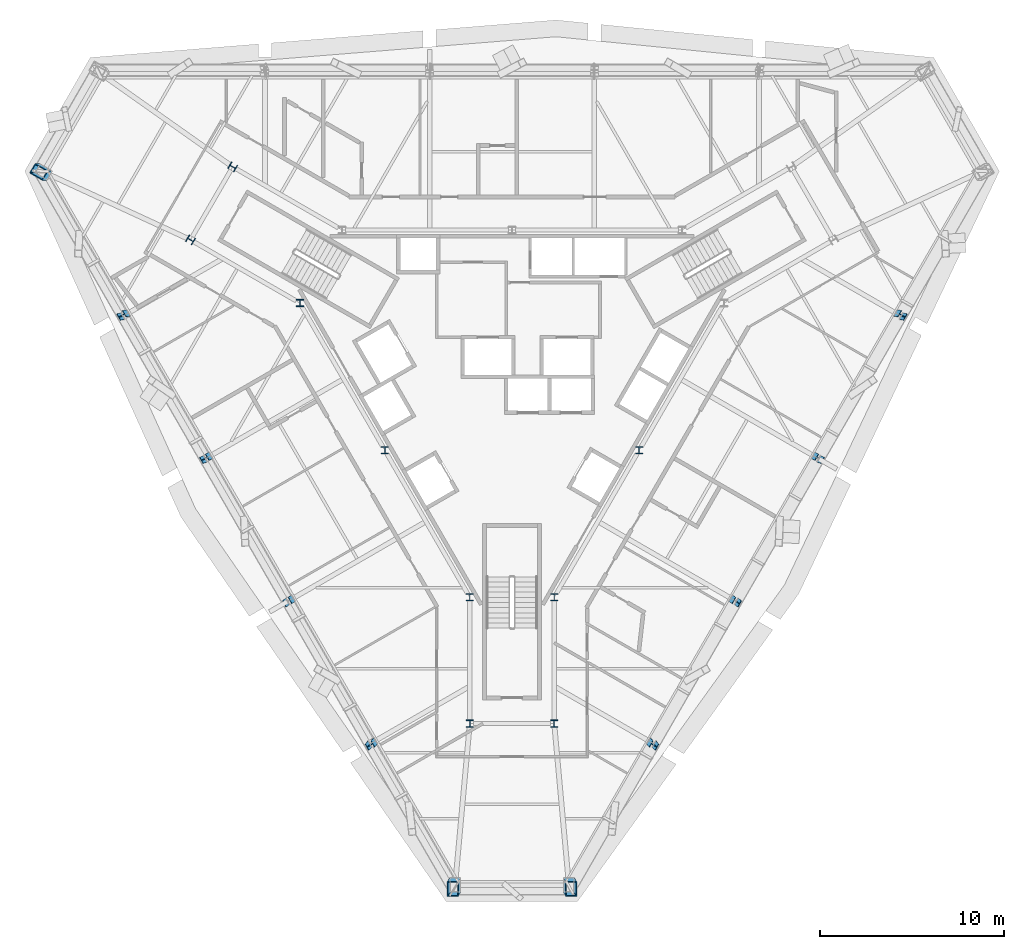
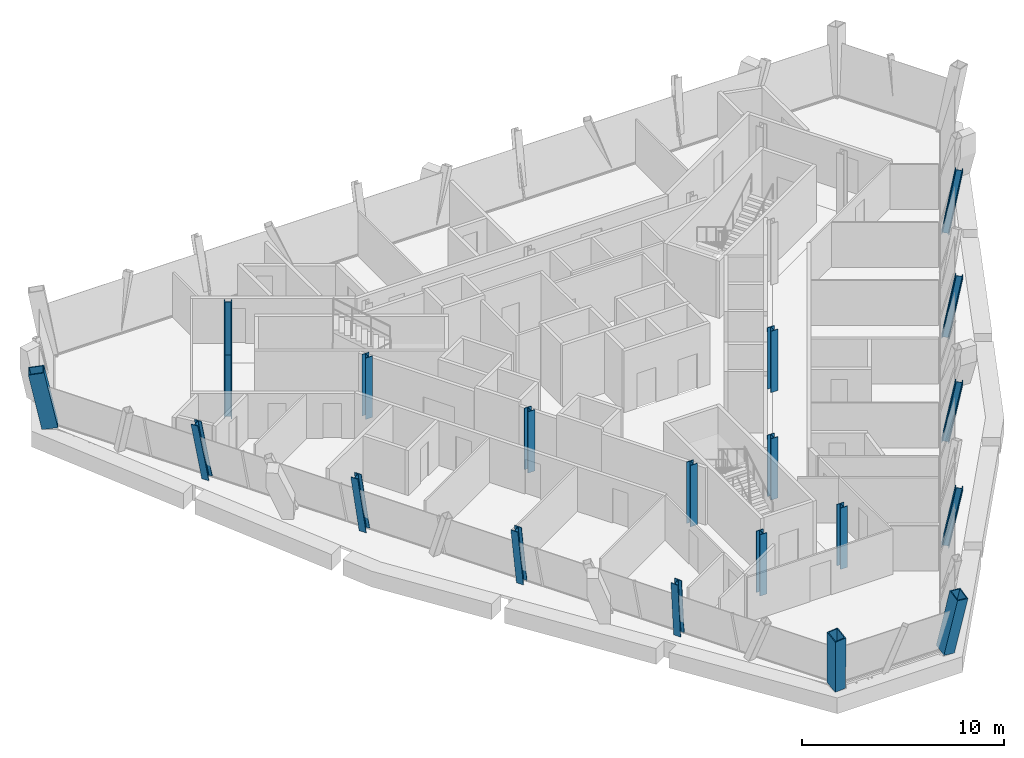
# One storey, part 1 of 13: 20 columns.
"""IFC4 building model written with IfcOpenShell, lengths in metres."""

from ifc_helpers import new_model, si_unit, direction, frame, origin, origin_2d, place, context, subcontext, project, spatial, hollow_rectangle, i_section, extrude, material, material_profile, profile_set, type_object, element, save


model = new_model("IFC4")

# Units and contexts
model_context = context("Model", 3, precision=1e-05, world=origin(), true_north=direction((0.0, 1.0)))
body_context = subcontext(model_context, "Body", "Model", "MODEL_VIEW")
ifc_project = project(units=[si_unit("LENGTHUNIT", "METRE"), si_unit("AREAUNIT", "SQUARE_METRE"), si_unit("VOLUMEUNIT", "CUBIC_METRE"), si_unit("PLANEANGLEUNIT", "RADIAN"), si_unit("MASSUNIT", "GRAM", prefix="KILO")], contexts=[model_context])

# Site, building, storey
site_placement = place(None, origin())
site = spatial("IfcSite", under=ifc_project, at=site_placement, CompositionType="ELEMENT")
building_placement = place(site_placement, origin())
building = spatial("IfcBuilding", under=site, at=building_placement, Name="Verrane Prism Tower", CompositionType="ELEMENT")
storey_placement = place(building_placement, frame((0.0, 0.0, 243.39990234375)))
storey = spatial("IfcBuildingStorey", under=building, at=storey_placement, Name="L61", CompositionType="ELEMENT", Elevation=243.39990234375)

# Columns
ifc_material_1 = material(Name="Steel A992", Category="steel")
ifc_material_profile_1 = material_profile(ifc_material_1, i_section(OverallWidth=0.4013671875, OverallDepth=0.398681640625, WebThickness=0.02490234375, FlangeThickness=0.03955078125, FilletRadius=0.01513671875, at=origin_2d()), Name="W14x211")
ifc_profile_set_1 = profile_set([ifc_material_profile_1], Name="Steel A992")
column_type_1 = type_object("IfcColumnType", Name="Core corner column W14x211", PredefinedType="COLUMN", material=ifc_profile_set_1)
for number, where, z_axis, x_axis, name in (
    (1, (-15.219970703125, 11.43994140625, 0.0), (0.0, 0.0, 1.0), (0.5, 0.866025403784, 0.0), "Core corner column CK-NWm L61"),
    (2, (-17.52001953125, 7.4599609375, 0.0), (0.0, 0.0, 1.0), (0.5, 0.866025403784, 0.0), "Core corner column CK-NWp L61"),
    (3, (-2.300048828125, -18.89990234375, 0.0), (0.0, 0.0, 1.0), (-1.0, 0.0, 0.0), "Core corner column CK-Sm L61"),
    (4, (2.300048828125, -18.89990234375, 0.0), (0.0, 0.0, 1.0), (-1.0, 0.0, 0.0), "Core corner column CK-Sp L61"),
):
    element("IfcColumn", number, at=place(storey_placement, frame(where, z_axis=z_axis, x_axis=x_axis)), inside=storey, type_object=column_type_1, Name=name, PredefinedType="COLUMN", context=body_context, shape_type="SweptSolid", body=[
        extrude(i_section(OverallWidth=0.4013671875, OverallDepth=0.398681640625, WebThickness=0.02490234375, FlangeThickness=0.03955078125, FilletRadius=0.01513671875, at=origin_2d()), origin(), (0.0, 0.0, 1.0), 3.7001953125),
    ])
ifc_material_2 = material(Name="Steel A992", Category="steel")
ifc_material_profile_2 = material_profile(ifc_material_2, i_section(OverallWidth=0.398681640625, OverallDepth=0.385986328125, WebThickness=0.02099609375, FlangeThickness=0.033203125, FilletRadius=0.01513671875, at=origin_2d()), Name="W14x176")
ifc_profile_set_2 = profile_set([ifc_material_profile_2], Name="Steel A992")
column_type_2 = type_object("IfcColumnType", Name="Core side column W14x176", PredefinedType="COLUMN", material=ifc_profile_set_2)
for number, where, z_axis, x_axis, name in (
    (5, (-11.56005859375, 4.02001953125, 0.0), (0.0, 0.0, 1.0), (1.0, 0.0, 0.0), "Core side column CC-NWp L61"),
    (6, (-6.929931640625, -4.0, 0.0), (0.0, 0.0, 1.0), (1.0, 0.0, 0.0), "Core side column CC-SW0 L61"),
    (7, (-2.300048828125, -12.02001953125, 0.0), (0.0, 0.0, 1.0), (1.0, 0.0, 0.0), "Core side column CC-Sm L61"),
    (8, (2.300048828125, -12.02001953125, 0.0), (0.0, 0.0, 1.0), (1.0, 0.0, 0.0), "Core side column CC-Sp L61"),
    (9, (6.929931640625, -4.0, 0.0), (0.0, 0.0, 1.0), (1.0, 0.0, 0.0), "Core side column CC-SE0 L61"),
):
    element("IfcColumn", number, at=place(storey_placement, frame(where, z_axis=z_axis, x_axis=x_axis)), inside=storey, type_object=column_type_2, Name=name, PredefinedType="COLUMN", context=body_context, shape_type="SweptSolid", body=[
        extrude(i_section(OverallWidth=0.398681640625, OverallDepth=0.385986328125, WebThickness=0.02099609375, FlangeThickness=0.033203125, FilletRadius=0.01513671875, at=origin_2d()), origin(), (0.0, 0.0, 1.0), 3.7001953125),
    ])
ifc_material_3 = material(Name="Steel A572 Grade 50", Category="steel")
ifc_material_profile_3 = material_profile(ifc_material_3, hollow_rectangle(XDim=0.60009765625, YDim=0.800048828125, WallThickness=0.050048828125, at=origin_2d()), Name="BOX 800x600x50")
ifc_profile_set_3 = profile_set([ifc_material_profile_3], Name="Steel A572 Grade 50")
column_type_3 = type_object("IfcColumnType", Name="Megacolumn BOX 800x600x50", PredefinedType="COLUMN", material=ifc_profile_set_3)
column_1_placement = place(storey_placement, frame((-25.544189453125, 11.159912109375, 0.065185546875), z_axis=(-0.213852283996, 0.0, 0.976866009558), x_axis=(0.497031900956, 0.860883256594, 0.10880858398)))
element("IfcColumn", 10, at=column_1_placement, inside=storey, type_object=column_type_3, Name="Megacolumn MC-NW.b L61", PredefinedType="COLUMN", context=body_context, shape_type="SweptSolid", body=[
    extrude(hollow_rectangle(XDim=0.60009765625, YDim=0.800048828125, WallThickness=0.050048828125, at=origin_2d()), origin(), (0.0, 0.0, 1.0), 3.654296875),
])
for number, where, z_axis, x_axis, name in (
    (11, (-3.10693359375, -27.702392578125, 0.065185546875), (-0.105646042445, -0.18483045756, 0.97707554246), (-0.99420759189, 0.000114682895, -0.107476746676), "Megacolumn MC-S.a L61"),
    (12, (3.10693359375, -27.702392578125, 0.065185546875), (0.105646042445, -0.18483045756, 0.97707554246), (-0.99420759189, -0.000114682895, 0.107476746676), "Megacolumn MC-S.b L61"),
):
    element("IfcColumn", number, at=place(storey_placement, frame(where, z_axis=z_axis, x_axis=x_axis)), inside=storey, type_object=column_type_3, Name=name, PredefinedType="COLUMN", context=body_context, shape_type="SweptSolid", body=[
        extrude(hollow_rectangle(XDim=0.60009765625, YDim=0.800048828125, WallThickness=0.050048828125, at=origin_2d()), origin(), (0.0, 0.0, 1.0), 3.653564453125),
    ])
ifc_material_4 = material(Name="Steel A992", Category="steel")
ifc_material_profile_4 = material_profile(ifc_material_4, i_section(OverallWidth=0.398681640625, OverallDepth=0.385986328125, WebThickness=0.02099609375, FlangeThickness=0.033203125, FilletRadius=0.01513671875, at=origin_2d()), Name="W14x176")
ifc_profile_set_4 = profile_set([ifc_material_profile_4], Name="Steel A992")
column_type_4 = type_object("IfcColumnType", Name="Perimeter column W14x176", PredefinedType="COLUMN", material=ifc_profile_set_4)
column_2_placement = place(storey_placement, frame((-21.056884765625, 3.388671875, 0.03515625), z_axis=(-0.190865086691, -0.037143810511, 0.980913276505), x_axis=(-0.499098485542, 0.864149530605, -0.064391695786)))
element("IfcColumn", 13, at=column_2_placement, inside=storey, type_object=column_type_4, Name="Perimeter column PC-SW1 L61", PredefinedType="COLUMN", context=body_context, shape_type="SweptSolid", body=[
    extrude(i_section(OverallWidth=0.398681640625, OverallDepth=0.385986328125, WebThickness=0.02099609375, FlangeThickness=0.033203125, FilletRadius=0.01513671875, at=origin_2d()), origin(), (0.0, 0.0, 1.0), 3.700439453125),
])
for number, where, z_axis, x_axis, name in (
    (14, (-16.566162109375, -4.382568359375, 0.03515625), (-0.172550127642, -0.074384166817, 0.982188092566), (-0.500108020801, 0.865675893993, -0.022298297935), "Perimeter column PC-SW2 L61"),
    (15, (-12.075439453125, -12.154052734375, 0.03515625), (-0.151278749973, -0.1114442145, 0.982188844806), (-0.499795795973, 0.865882116597, 0.02126787449), "Perimeter column PC-SW3 L61"),
):
    element("IfcColumn", number, at=place(storey_placement, frame(where, z_axis=z_axis, x_axis=x_axis)), inside=storey, type_object=column_type_4, Name=name, PredefinedType="COLUMN", context=body_context, shape_type="SweptSolid", body=[
        extrude(i_section(OverallWidth=0.398681640625, OverallDepth=0.385986328125, WebThickness=0.02099609375, FlangeThickness=0.033203125, FilletRadius=0.01513671875, at=origin_2d()), origin(), (0.0, 0.0, 1.0), 3.69580078125),
    ])
for number, where, z_axis, x_axis, name in (
    (16, (-7.594482421875, -19.92529296875, 0.03515625), (-0.127238490867, -0.148411925584, 0.980706004257), (-0.498812486933, 0.86418856113, 0.066062347004), "Perimeter column PC-SW4 L61"),
    (17, (7.594482421875, -19.92529296875, 0.03515625), (0.127238490867, -0.148411925584, 0.980706004257), (-0.498812486933, -0.86418856113, -0.066062347004), "Perimeter column PC-SE1 L61"),
):
    element("IfcColumn", number, at=place(storey_placement, frame(where, z_axis=z_axis, x_axis=x_axis)), inside=storey, type_object=column_type_4, Name=name, PredefinedType="COLUMN", context=body_context, shape_type="SweptSolid", body=[
        extrude(i_section(OverallWidth=0.398681640625, OverallDepth=0.385986328125, WebThickness=0.02099609375, FlangeThickness=0.033203125, FilletRadius=0.01513671875, at=origin_2d()), origin(), (0.0, 0.0, 1.0), 3.701416015625),
    ])
for number, where, z_axis, x_axis, name in (
    (18, (12.075439453125, -12.154052734375, 0.03515625), (0.151278749973, -0.1114442145, 0.982188844806), (-0.499795795973, -0.865882116597, -0.02126787449), "Perimeter column PC-SE2 L61"),
    (19, (16.566162109375, -4.382568359375, 0.03515625), (0.172550127642, -0.074384166817, 0.982188092566), (-0.500108020801, -0.865675893993, 0.022298297935), "Perimeter column PC-SE3 L61"),
):
    element("IfcColumn", number, at=place(storey_placement, frame(where, z_axis=z_axis, x_axis=x_axis)), inside=storey, type_object=column_type_4, Name=name, PredefinedType="COLUMN", context=body_context, shape_type="SweptSolid", body=[
        extrude(i_section(OverallWidth=0.398681640625, OverallDepth=0.385986328125, WebThickness=0.02099609375, FlangeThickness=0.033203125, FilletRadius=0.01513671875, at=origin_2d()), origin(), (0.0, 0.0, 1.0), 3.69580078125),
    ])
column_3_placement = place(storey_placement, frame((21.056884765625, 3.388671875, 0.03515625), z_axis=(0.190865086691, -0.037143810511, 0.980913276505), x_axis=(-0.499098485542, -0.864149530605, 0.064391695786)))
element("IfcColumn", 20, at=column_3_placement, inside=storey, type_object=column_type_4, Name="Perimeter column PC-SE4 L61", PredefinedType="COLUMN", context=body_context, shape_type="SweptSolid", body=[
    extrude(i_section(OverallWidth=0.398681640625, OverallDepth=0.385986328125, WebThickness=0.02099609375, FlangeThickness=0.033203125, FilletRadius=0.01513671875, at=origin_2d()), origin(), (0.0, 0.0, 1.0), 3.700439453125),
])

save(model, "model.ifc")
